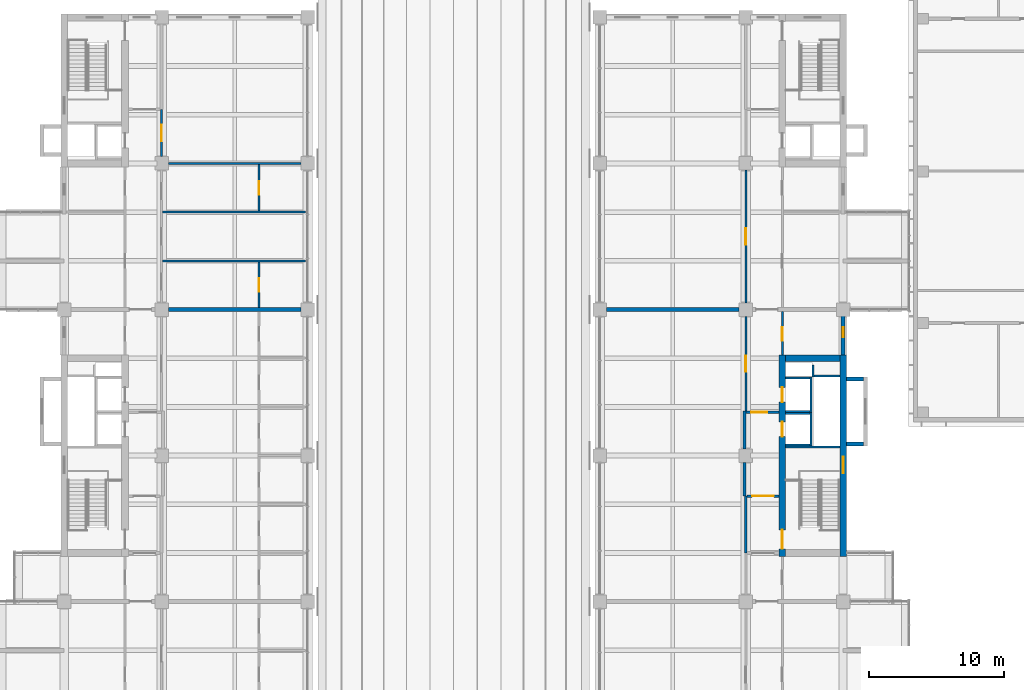
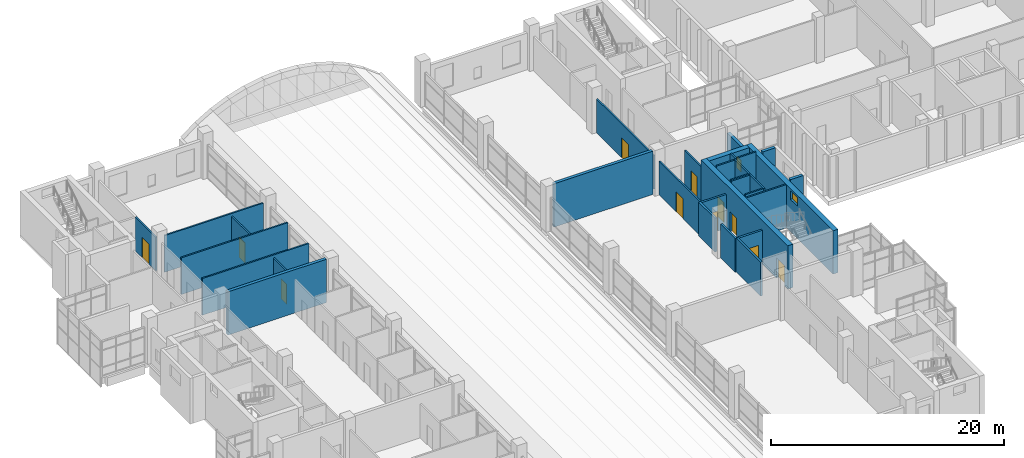
# One storey, part 34 of 45: 31 walls, 11 doors, 2 windows, 13 openings.
"""IFC4 building model written with IfcOpenShell, lengths in metres."""

from ifc_helpers import new_model, si_unit, direction, frame, frame_2d, origin, place, context, subcontext, project, spatial, rectangle, extrude, material, layer, layer_set, type_object, element, fill, save


model = new_model("IFC4")

# Units and contexts
model_context = context("Model", 3, precision=1e-05, world=origin(), true_north=direction((0.0, 1.0)))
body_context = subcontext(model_context, "Body", "Model", "MODEL_VIEW")
ifc_project = project(units=[si_unit("LENGTHUNIT", "METRE"), si_unit("AREAUNIT", "SQUARE_METRE"), si_unit("VOLUMEUNIT", "CUBIC_METRE"), si_unit("PLANEANGLEUNIT", "RADIAN"), si_unit("MASSUNIT", "GRAM", prefix="KILO")], contexts=[model_context])

# Site, building, storey
site_placement = place(None, origin())
site = spatial("IfcSite", under=ifc_project, at=site_placement, CompositionType="ELEMENT")
building_placement = place(site_placement, origin())
building = spatial("IfcBuilding", under=site, at=building_placement, Name="Basin Gate Institute", CompositionType="ELEMENT")
storey_placement = place(building_placement, frame((0.0, 0.0, 22.199951171875)))
storey = spatial("IfcBuildingStorey", under=building, at=storey_placement, Name="L04", CompositionType="ELEMENT", Elevation=22.199951171875)

# Wall, opening, door
ifc_material_1 = material(Name="Fire-rated masonry", Category="masonry")
ifc_layer_1 = layer(ifc_material_1, 0.199951171875)
ifc_layer_set_1 = layer_set([ifc_layer_1], Name="Enclosure wall PW2 200 EI 60")
wall_type_1 = type_object("IfcWallType", Name="Enclosure wall PW2 200 EI 60", PredefinedType="PARTITIONING", material=ifc_layer_set_1)
wall_1_placement = place(storey_placement, frame((114.050048828125, 64.5, 0.0), z_axis=(0.0, 0.0, 1.0), x_axis=(-1.0, 0.0, 0.0)))
wall_1 = element("IfcWall", 1, at=wall_1_placement, inside=storey, type_object=wall_type_1, material=ifc_layer_set_1, Name="Smoke lobby enclosure wall PW2 L04", PredefinedType="PARTITIONING", context=body_context, shape_type="SweptSolid", body=[
    extrude(rectangle(XDim=2.35009765625, YDim=0.199951171875, at=frame_2d((1.175048828125, 0.0))), origin(), (0.0, 0.0, 1.0), 3.550048828125),
])
opening_1_placement = place(wall_1_placement, frame((0.375, 0.0, 0.0)))
opening_1 = element("IfcOpeningElement", 2, at=opening_1_placement, cuts=wall_1, Name="Opening DR208", PredefinedType="OPENING", context=body_context, shape_type="SweptSolid", body=[
    extrude(rectangle(XDim=1.60009765625, YDim=2.10009765625, at=frame_2d((0.800048828125, 1.050048828125))), frame((0.0, 0.10986328125, 0.0), z_axis=(0.0, -1.0, 0.0), x_axis=(1.0, 0.0, 0.0)), (0.0, 0.0, 1.0), 0.219970703125),
])
ifc_material_2 = material(Name="Steel fire door", Category="steel")
door_type_1 = type_object("IfcDoorType", Name="FD60 Smoke lobby door pair D8", OperationType="DOUBLE_DOOR_SINGLE_SWING", PredefinedType="DOOR", material=ifc_material_2)
door_1_placement = place(opening_1_placement, origin())
door_1 = element("IfcDoor", 3, at=door_1_placement, inside=storey, type_object=door_type_1, material=ifc_material_2, Name="Smoke lobby door SS5 L04", OperationType="DOUBLE_DOOR_SINGLE_SWING", OverallHeight=2.10009765625, OverallWidth=1.60009765625, PredefinedType="DOOR", context=body_context, shape_type="SweptSolid", body=[
    extrude(rectangle(XDim=1.60009765625, YDim=2.10009765625, at=frame_2d((0.800048828125, 1.050048828125))), frame((0.0, 0.02490234375, 0.0), z_axis=(0.0, -1.0, 0.0), x_axis=(1.0, 0.0, 0.0)), (0.0, 0.0, 1.0), 0.050048828125),
])
fill(opening_1, door_1)

# Wall
wall_2_placement = place(storey_placement, frame((111.60009765625, 60.300048828125, 0.0), z_axis=(0.0, 0.0, 1.0), x_axis=(0.0, 1.0, 0.0)))
element("IfcWall", 4, at=wall_2_placement, inside=storey, type_object=wall_type_1, material=ifc_layer_set_1, Name="Smoke lobby enclosure wall PW2 L04", PredefinedType="PARTITIONING", context=body_context, shape_type="SweptSolid", body=[
    extrude(rectangle(XDim=4.199951171875, YDim=0.199951171875, at=frame_2d((2.10009765625, 0.0))), origin(), (0.0, 0.0, 1.0), 3.550048828125),
])

# Wall, opening, door
wall_3_placement = place(storey_placement, frame((114.050048828125, 70.699951171875, 0.0), z_axis=(0.0, 0.0, 1.0), x_axis=(-1.0, 0.0, 0.0)))
wall_3 = element("IfcWall", 5, at=wall_3_placement, inside=storey, type_object=wall_type_1, material=ifc_layer_set_1, Name="Emergency lift lobby wall PW2 L04", PredefinedType="PARTITIONING", context=body_context, shape_type="SweptSolid", body=[
    extrude(rectangle(XDim=2.449951171875, YDim=0.199951171875, at=frame_2d((1.22509765625, 0.0))), origin(), (0.0, 0.0, 1.0), 3.550048828125),
])
opening_2_placement = place(wall_3_placement, frame((0.85009765625, 0.0, 0.0)))
opening_2 = element("IfcOpeningElement", 6, at=opening_2_placement, cuts=wall_3, Name="Opening DR205", PredefinedType="OPENING", context=body_context, shape_type="SweptSolid", body=[
    extrude(rectangle(XDim=1.199951171875, YDim=2.10009765625, at=frame_2d((0.60009765625, 1.050048828125))), frame((0.0, 0.10986328125, 0.0), z_axis=(0.0, -1.0, 0.0), x_axis=(1.0, 0.0, 0.0)), (0.0, 0.0, 1.0), 0.219970703125),
])
ifc_material_3 = material(Name="Steel fire door", Category="steel")
door_type_2 = type_object("IfcDoorType", Name="FD60 Emergency lift lobby door D9", OperationType="NOTDEFINED", PredefinedType="DOOR", material=ifc_material_3)
door_2_placement = place(opening_2_placement, origin())
door_2 = element("IfcDoor", 7, at=door_2_placement, inside=storey, type_object=door_type_2, material=ifc_material_3, Name="Emergency lift lobby door LF2 L04", OperationType="SINGLE_SWING_RIGHT", OverallHeight=2.10009765625, OverallWidth=1.199951171875, PredefinedType="DOOR", context=body_context, shape_type="SweptSolid", body=[
    extrude(rectangle(XDim=1.199951171875, YDim=2.10009765625, at=frame_2d((0.60009765625, 1.050048828125))), frame((0.0, 0.02490234375, 0.0), z_axis=(0.0, -1.0, 0.0), x_axis=(1.0, 0.0, 0.0)), (0.0, 0.0, 1.0), 0.050048828125),
])
fill(opening_2, door_2)

# Walls
wall_4_placement = place(storey_placement, frame((111.5, 64.5, 0.0), z_axis=(0.0, 0.0, 1.0), x_axis=(0.0, 1.0, 0.0)))
element("IfcWall", 8, at=wall_4_placement, inside=storey, type_object=wall_type_1, material=ifc_layer_set_1, Name="Emergency lift lobby wall PW2 L04", PredefinedType="PARTITIONING", context=body_context, shape_type="SweptSolid", body=[
    extrude(rectangle(XDim=2.5, YDim=0.199951171875, at=frame_2d((1.25, 0.0))), origin(), (0.0, 0.0, 1.0), 3.550048828125),
])
wall_5_placement = place(storey_placement, frame((111.5, 68.0, 0.0), z_axis=(0.0, 0.0, 1.0), x_axis=(0.0, 1.0, 0.0)))
element("IfcWall", 9, at=wall_5_placement, inside=storey, type_object=wall_type_1, material=ifc_layer_set_1, Name="Emergency lift lobby wall PW2 L04", PredefinedType="PARTITIONING", context=body_context, shape_type="SweptSolid", body=[
    extrude(rectangle(XDim=2.800048828125, YDim=0.199951171875, at=frame_2d((1.39990234375, 0.0))), origin(), (0.0, 0.0, 1.0), 3.550048828125),
])

# Wall, opening, window
ifc_material_4 = material(Name="Aluminium-faced insulated panel wall", Category="aluminium")
ifc_layer_2 = layer(ifc_material_4, 0.300048828125)
ifc_layer_set_2 = layer_set([ifc_layer_2], Name="External wall EW1 EI 120")
wall_type_2 = type_object("IfcWallType", Name="External wall EW1 EI 120", PredefinedType="STANDARD", material=ifc_layer_set_2)
wall_6_placement = place(storey_placement, frame((118.800048828125, 74.949951171875, 0.0), z_axis=(0.0, 0.0, 1.0), x_axis=(0.0, 1.0, 0.0)))
wall_6 = element("IfcWall", 10, at=wall_6_placement, inside=storey, type_object=wall_type_2, material=ifc_layer_set_2, Name="External wall E facade L04 1", PredefinedType="STANDARD", context=body_context, shape_type="SweptSolid", body=[
    extrude(rectangle(XDim=3.5, YDim=0.300048828125, at=frame_2d((1.75, 0.0))), origin(), (0.0, 0.0, 1.0), 3.650146484375),
])
opening_3_placement = place(wall_6_placement, frame((1.300048828125, 0.0, 0.800048828125)))
opening_3 = element("IfcOpeningElement", 11, at=opening_3_placement, cuts=wall_6, Name="Opening WN3", PredefinedType="OPENING", context=body_context, shape_type="SweptSolid", body=[
    extrude(rectangle(XDim=0.75, YDim=1.199951171875, at=frame_2d((0.375, 0.60009765625))), frame((0.0, 0.16015625, 0.0), z_axis=(0.0, -1.0, 0.0), x_axis=(1.0, 0.0, 0.0)), (0.0, 0.0, 1.0), 0.320068359375),
])
ifc_material_5 = material(Name="Aluminium-framed double glazing", Category="aluminium")
window_type_1 = type_object("IfcWindowType", Name="Emergency entry panel WN3", PartitioningType="SINGLE_PANEL", PredefinedType="WINDOW", material=ifc_material_5)
window_1_placement = place(opening_3_placement, origin())
window_1 = element("IfcWindow", 12, at=window_1_placement, inside=storey, type_object=window_type_1, material=ifc_material_5, Name="Emergency entry panel E facade L04 bay 12", OverallHeight=1.199951171875, OverallWidth=0.75, PartitioningType="SINGLE_PANEL", PredefinedType="WINDOW", context=body_context, shape_type="SweptSolid", body=[
    extrude(rectangle(XDim=0.75, YDim=1.199951171875, at=frame_2d((0.375, 0.60009765625))), frame((0.0, 0.030029296875, 0.0), z_axis=(0.0, -1.0, 0.0), x_axis=(1.0, 0.0, 0.0)), (0.0, 0.0, 1.0), 0.06005859375),
])
fill(opening_3, window_1)

# Wall, opening, door
ifc_material_6 = material(Name="Gypsum board on steel stud", Category="steel")
ifc_layer_3 = layer(ifc_material_6, 0.14990234375)
ifc_layer_set_3 = layer_set([ifc_layer_3], Name="Gypsum board on steel stud")
wall_type_3 = type_object("IfcWallType", Name="Partition PW1 150 EI 60", PredefinedType="PARTITIONING", material=ifc_layer_set_3)
wall_7_placement = place(storey_placement, frame((68.39990234375, 89.60009765625, 0.0), z_axis=(0.0, 0.0, 1.0), x_axis=(0.0, 1.0, 0.0)))
wall_7 = element("IfcWall", 13, at=wall_7_placement, inside=storey, type_object=wall_type_3, material=ifc_layer_set_3, Name="Laboratory corridor wall PW1 L04", PredefinedType="PARTITIONING", context=body_context, shape_type="SweptSolid", body=[
    extrude(rectangle(XDim=3.5, YDim=0.14990234375, at=frame_2d((1.75, 0.0))), origin(), (0.0, 0.0, 1.0), 3.550048828125),
])
opening_4_placement = place(wall_7_placement, frame((1.14990234375, 0.0, 0.0)))
opening_4 = element("IfcOpeningElement", 14, at=opening_4_placement, cuts=wall_7, Name="Opening DR216", PredefinedType="OPENING", context=body_context, shape_type="SweptSolid", body=[
    extrude(rectangle(XDim=1.199951171875, YDim=2.10009765625, at=frame_2d((0.60009765625, 1.050048828125))), frame((0.0, 0.0849609375, 0.0), z_axis=(0.0, -1.0, 0.0), x_axis=(1.0, 0.0, 0.0)), (0.0, 0.0, 1.0), 0.169921875),
])
ifc_material_7 = material(Name="Timber fire door", Category="wood")
door_type_3 = type_object("IfcDoorType", Name="FD30 Laboratory door D2", OperationType="DOUBLE_DOOR_SINGLE_SWING", PredefinedType="DOOR", material=ifc_material_7)
door_3_placement = place(opening_4_placement, frame((1.199951171875, 0.0, 0.0), z_axis=(0.0, 0.0, 1.0), x_axis=(-1.0, 0.0, 0.0)))
door_3 = element("IfcDoor", 15, at=door_3_placement, inside=storey, type_object=door_type_3, material=ifc_material_7, Name="Door to Instrument Room 0434 L04", OperationType="DOUBLE_DOOR_SINGLE_SWING", OverallHeight=2.10009765625, OverallWidth=1.199951171875, PredefinedType="DOOR", context=body_context, shape_type="SweptSolid", body=[
    extrude(rectangle(XDim=1.199951171875, YDim=2.10009765625, at=frame_2d((0.60009765625, 1.050048828125))), frame((0.0, 0.02490234375, 0.0), z_axis=(0.0, -1.0, 0.0), x_axis=(1.0, 0.0, 0.0)), (0.0, 0.0, 1.0), 0.050048828125),
])
fill(opening_4, door_3)

wall_8_placement = place(storey_placement, frame((75.60009765625, 78.449951171875, 0.0), z_axis=(0.0, 0.0, 1.0), x_axis=(0.0, 1.0, 0.0)))
wall_8 = element("IfcWall", 16, at=wall_8_placement, inside=storey, type_object=wall_type_3, material=ifc_layer_set_3, Name="Laboratory partition PW1 L04", PredefinedType="PARTITIONING", context=body_context, shape_type="SweptSolid", body=[
    extrude(rectangle(XDim=3.375, YDim=0.14990234375, at=frame_2d((1.6875, 0.0))), origin(), (0.0, 0.0, 1.0), 3.550048828125),
])
opening_5_placement = place(wall_8_placement, frame((1.14990234375, 0.0, 0.0)))
opening_5 = element("IfcOpeningElement", 17, at=opening_5_placement, cuts=wall_8, Name="Opening DR236", PredefinedType="OPENING", context=body_context, shape_type="SweptSolid", body=[
    extrude(rectangle(XDim=1.0, YDim=2.10009765625, at=frame_2d((0.5, 1.050048828125))), frame((0.0, 0.0849609375, 0.0), z_axis=(0.0, -1.0, 0.0), x_axis=(1.0, 0.0, 0.0)), (0.0, 0.0, 1.0), 0.169921875),
])
ifc_material_8 = material(Name="Timber fire door", Category="wood")
door_type_4 = type_object("IfcDoorType", Name="FD30 Office door D1", OperationType="NOTDEFINED", PredefinedType="DOOR", material=ifc_material_8)
door_4_placement = place(opening_5_placement, origin())
door_4 = element("IfcDoor", 18, at=door_4_placement, inside=storey, type_object=door_type_4, material=ifc_material_8, Name="Door to Write-up Cell 0430 L04", OperationType="SINGLE_SWING_LEFT", OverallHeight=2.10009765625, OverallWidth=1.0, PredefinedType="DOOR", context=body_context, shape_type="SweptSolid", body=[
    extrude(rectangle(XDim=1.0, YDim=2.10009765625, at=frame_2d((0.5, 1.050048828125))), frame((0.0, 0.02490234375, 0.0), z_axis=(0.0, -1.0, 0.0), x_axis=(1.0, 0.0, 0.0)), (0.0, 0.0, 1.0), 0.050048828125),
])
fill(opening_5, door_4)

wall_9_placement = place(storey_placement, frame((75.60009765625, 85.574951171875, 0.0), z_axis=(0.0, 0.0, 1.0), x_axis=(0.0, 1.0, 0.0)))
wall_9 = element("IfcWall", 19, at=wall_9_placement, inside=storey, type_object=wall_type_3, material=ifc_layer_set_3, Name="Laboratory partition PW1 L04", PredefinedType="PARTITIONING", context=body_context, shape_type="SweptSolid", body=[
    extrude(rectangle(XDim=3.449951171875, YDim=0.14990234375, at=frame_2d((1.72509765625, 0.0))), origin(), (0.0, 0.0, 1.0), 3.550048828125),
])
opening_6_placement = place(wall_9_placement, frame((1.22509765625, 0.0, 0.0)))
opening_6 = element("IfcOpeningElement", 20, at=opening_6_placement, cuts=wall_9, Name="Opening DR237", PredefinedType="OPENING", context=body_context, shape_type="SweptSolid", body=[
    extrude(rectangle(XDim=1.0, YDim=2.10009765625, at=frame_2d((0.5, 1.050048828125))), frame((0.0, 0.0849609375, 0.0), z_axis=(0.0, -1.0, 0.0), x_axis=(1.0, 0.0, 0.0)), (0.0, 0.0, 1.0), 0.169921875),
])
door_5_placement = place(opening_6_placement, origin())
door_5 = element("IfcDoor", 21, at=door_5_placement, inside=storey, type_object=door_type_4, material=ifc_material_8, Name="Door to Write-up Cell 0433 L04", OperationType="SINGLE_SWING_LEFT", OverallHeight=2.10009765625, OverallWidth=1.0, PredefinedType="DOOR", context=body_context, shape_type="SweptSolid", body=[
    extrude(rectangle(XDim=1.0, YDim=2.10009765625, at=frame_2d((0.5, 1.050048828125))), frame((0.0, 0.02490234375, 0.0), z_axis=(0.0, -1.0, 0.0), x_axis=(1.0, 0.0, 0.0)), (0.0, 0.0, 1.0), 0.050048828125),
])
fill(opening_6, door_5)

# Walls
for number, where, z_axis, x_axis, name in (
    (22, (68.47509765625, 81.89990234375, 0.0), (0.0, 0.0, 1.0), (1.0, 0.0, 0.0), "Laboratory partition PW1 L04"),
    (23, (68.47509765625, 85.5, 0.0), (0.0, 0.0, 1.0), (1.0, 0.0, 0.0), "Laboratory partition PW1 L04"),
):
    element("IfcWall", number, at=place(storey_placement, frame(where, z_axis=z_axis, x_axis=x_axis)), inside=storey, type_object=wall_type_3, material=ifc_layer_set_3, Name=name, PredefinedType="PARTITIONING", context=body_context, shape_type="SweptSolid", body=[
        extrude(rectangle(XDim=10.574951171875, YDim=0.14990234375, at=frame_2d((5.28759765625, 0.0))), origin(), (0.0, 0.0, 1.0), 3.85009765625),
    ])
wall_10_placement = place(storey_placement, frame((68.89990234375, 89.10009765625, 0.0), z_axis=(0.0, 0.0, 1.0), x_axis=(1.0, 0.0, 0.0)))
element("IfcWall", 24, at=wall_10_placement, inside=storey, type_object=wall_type_3, material=ifc_layer_set_3, Name="Laboratory partition PW1 L04", PredefinedType="PARTITIONING", context=body_context, shape_type="SweptSolid", body=[
    extrude(rectangle(XDim=9.800048828125, YDim=0.14990234375, at=frame_2d((4.89990234375, 0.0))), origin(), (0.0, 0.0, 1.0), 3.85009765625),
])

# Wall, opening, door
wall_11_placement = place(storey_placement, frame((114.300048828125, 74.949951171875, 0.0), z_axis=(0.0, 0.0, 1.0), x_axis=(0.0, 1.0, 0.0)))
wall_11 = element("IfcWall", 25, at=wall_11_placement, inside=storey, type_object=wall_type_3, material=ifc_layer_set_3, Name="Corridor wall PW1 L04", PredefinedType="PARTITIONING", context=body_context, shape_type="SweptSolid", body=[
    extrude(rectangle(XDim=3.199951171875, YDim=0.14990234375, at=frame_2d((1.60009765625, 0.0))), origin(), (0.0, 0.0, 1.0), 3.550048828125),
])
opening_7_placement = place(wall_11_placement, frame((1.050048828125, 0.0, 0.0)))
opening_7 = element("IfcOpeningElement", 26, at=opening_7_placement, cuts=wall_11, Name="Opening DR202", PredefinedType="OPENING", context=body_context, shape_type="SweptSolid", body=[
    extrude(rectangle(XDim=1.0, YDim=2.10009765625, at=frame_2d((0.5, 1.050048828125))), frame((0.0, 0.0849609375, 0.0), z_axis=(0.0, -1.0, 0.0), x_axis=(1.0, 0.0, 0.0)), (0.0, 0.0, 1.0), 0.169921875),
])
ifc_material_9 = material(Name="Timber fire door", Category="wood")
door_type_5 = type_object("IfcDoorType", Name="FD30 Toilet door D3", OperationType="NOTDEFINED", PredefinedType="DOOR", material=ifc_material_9)
door_6_placement = place(opening_7_placement, frame((1.0, 0.0, 0.0), z_axis=(0.0, 0.0, 1.0), x_axis=(-1.0, 0.0, 0.0)))
door_6 = element("IfcDoor", 27, at=door_6_placement, inside=storey, type_object=door_type_5, material=ifc_material_9, Name="Door to Male WC L04", OperationType="SINGLE_SWING_RIGHT", OverallHeight=2.10009765625, OverallWidth=1.0, PredefinedType="DOOR", context=body_context, shape_type="SweptSolid", body=[
    extrude(rectangle(XDim=1.0, YDim=2.10009765625, at=frame_2d((0.5, 1.050048828125))), frame((0.0, 0.02490234375, 0.0), z_axis=(0.0, -1.0, 0.0), x_axis=(1.0, 0.0, 0.0)), (0.0, 0.0, 1.0), 0.050048828125),
])
fill(opening_7, door_6)

wall_12_placement = place(storey_placement, frame((111.60009765625, 70.800048828125, 0.0), z_axis=(0.0, 0.0, 1.0), x_axis=(0.0, 1.0, 0.0)))
wall_12 = element("IfcWall", 28, at=wall_12_placement, inside=storey, type_object=wall_type_3, material=ifc_layer_set_3, Name="Laboratory corridor wall PW1 L04", PredefinedType="PARTITIONING", context=body_context, shape_type="SweptSolid", body=[
    extrude(rectangle(XDim=7.0, YDim=0.14990234375, at=frame_2d((3.5, 0.0))), origin(), (0.0, 0.0, 1.0), 3.550048828125),
])
opening_8_placement = place(wall_12_placement, frame((2.89990234375, 0.0, 0.0)))
opening_8 = element("IfcOpeningElement", 29, at=opening_8_placement, cuts=wall_12, Name="Opening DR198", PredefinedType="OPENING", context=body_context, shape_type="SweptSolid", body=[
    extrude(rectangle(XDim=1.199951171875, YDim=2.10009765625, at=frame_2d((0.60009765625, 1.050048828125))), frame((0.0, 0.0849609375, 0.0), z_axis=(0.0, -1.0, 0.0), x_axis=(1.0, 0.0, 0.0)), (0.0, 0.0, 1.0), 0.169921875),
])
door_7_placement = place(opening_8_placement, origin())
door_7 = element("IfcDoor", 30, at=door_7_placement, inside=storey, type_object=door_type_3, material=ifc_material_7, Name="Door to Dry Laboratory 0465 L04", OperationType="DOUBLE_DOOR_SINGLE_SWING", OverallHeight=2.10009765625, OverallWidth=1.199951171875, PredefinedType="DOOR", context=body_context, shape_type="SweptSolid", body=[
    extrude(rectangle(XDim=1.199951171875, YDim=2.10009765625, at=frame_2d((0.60009765625, 1.050048828125))), frame((0.0, 0.02490234375, 0.0), z_axis=(0.0, -1.0, 0.0), x_axis=(1.0, 0.0, 0.0)), (0.0, 0.0, 1.0), 0.050048828125),
])
fill(opening_8, door_7)

wall_13_placement = place(storey_placement, frame((111.60009765625, 78.800048828125, 0.0), z_axis=(0.0, 0.0, 1.0), x_axis=(0.0, 1.0, 0.0)))
wall_13 = element("IfcWall", 31, at=wall_13_placement, inside=storey, type_object=wall_type_3, material=ifc_layer_set_3, Name="Laboratory corridor wall PW1 L04", PredefinedType="PARTITIONING", context=body_context, shape_type="SweptSolid", body=[
    extrude(rectangle(XDim=9.800048828125, YDim=0.14990234375, at=frame_2d((4.89990234375, 0.0))), origin(), (0.0, 0.0, 1.0), 3.550048828125),
])
opening_9_placement = place(wall_13_placement, frame((4.300048828125, 0.0, 0.0)))
opening_9 = element("IfcOpeningElement", 32, at=opening_9_placement, cuts=wall_13, Name="Opening DR200", PredefinedType="OPENING", context=body_context, shape_type="SweptSolid", body=[
    extrude(rectangle(XDim=1.199951171875, YDim=2.10009765625, at=frame_2d((0.60009765625, 1.050048828125))), frame((0.0, 0.0849609375, 0.0), z_axis=(0.0, -1.0, 0.0), x_axis=(1.0, 0.0, 0.0)), (0.0, 0.0, 1.0), 0.169921875),
])
door_8_placement = place(opening_9_placement, origin())
door_8 = element("IfcDoor", 33, at=door_8_placement, inside=storey, type_object=door_type_3, material=ifc_material_7, Name="Door to Instrument Room 0466 L04", OperationType="DOUBLE_DOOR_SINGLE_SWING", OverallHeight=2.10009765625, OverallWidth=1.199951171875, PredefinedType="DOOR", context=body_context, shape_type="SweptSolid", body=[
    extrude(rectangle(XDim=1.199951171875, YDim=2.10009765625, at=frame_2d((0.60009765625, 1.050048828125))), frame((0.0, 0.02490234375, 0.0), z_axis=(0.0, -1.0, 0.0), x_axis=(1.0, 0.0, 0.0)), (0.0, 0.0, 1.0), 0.050048828125),
])
fill(opening_9, door_8)

# Walls
ifc_material_10 = material(Name="Concrete 40 MPa", Category="concrete")
ifc_layer_4 = layer(ifc_material_10, 0.14990234375)
ifc_layer_set_4 = layer_set([ifc_layer_4], Name="Concrete 40 MPa")
wall_type_4 = type_object("IfcWallType", Name="Wall LS1 lift shaft enclosure R120", PredefinedType="SOLIDWALL", material=ifc_layer_set_4)
wall_14_placement = place(storey_placement, frame((116.425048828125, 68.199951171875, 0.0), z_axis=(0.0, 0.0, 1.0), x_axis=(0.0, 1.0, 0.0)))
element("IfcWall", 34, at=wall_14_placement, inside=storey, type_object=wall_type_4, material=ifc_layer_set_4, Name="Lift shaft enclosure LF2 L04 UL", PredefinedType="SOLIDWALL", context=body_context, shape_type="SweptSolid", body=[
    extrude(rectangle(XDim=2.5, YDim=0.14990234375, at=frame_2d((1.25, 0.0))), origin(), (0.0, 0.0, 1.0), 4.800048828125),
])
for number, where, z_axis, x_axis, name in (
    (35, (116.35009765625, 68.27490234375, 0.0), (0.0, 0.0, 1.0), (-1.0, 0.0, 0.0), "Lift shaft enclosure LF2 L04 RL"),
    (36, (116.35009765625, 70.625, 0.0), (0.0, 0.0, 1.0), (-1.0, 0.0, 0.0), "Lift shaft enclosure LF2 L04 RH"),
):
    element("IfcWall", number, at=place(storey_placement, frame(where, z_axis=z_axis, x_axis=x_axis)), inside=storey, type_object=wall_type_4, material=ifc_layer_set_4, Name=name, PredefinedType="SOLIDWALL", context=body_context, shape_type="SweptSolid", body=[
        extrude(rectangle(XDim=1.800048828125, YDim=0.14990234375, at=frame_2d((0.89990234375, 0.0))), origin(), (0.0, 0.0, 1.0), 4.800048828125),
    ])
wall_15_placement = place(storey_placement, frame((116.425048828125, 70.699951171875, 0.0), z_axis=(0.0, 0.0, 1.0), x_axis=(0.0, 1.0, 0.0)))
element("IfcWall", 37, at=wall_15_placement, inside=storey, type_object=wall_type_4, material=ifc_layer_set_4, Name="Lift shaft enclosure LP5 L04 UL", PredefinedType="SOLIDWALL", context=body_context, shape_type="SweptSolid", body=[
    extrude(rectangle(XDim=2.60009765625, YDim=0.14990234375, at=frame_2d((1.300048828125, 0.0))), origin(), (0.0, 0.0, 1.0), 4.800048828125),
])
for number, where, z_axis, x_axis, name in (
    (38, (116.35009765625, 70.77490234375, 0.0), (0.0, 0.0, 1.0), (-1.0, 0.0, 0.0), "Lift shaft enclosure LP5 L04 RL"),
    (39, (116.35009765625, 73.22509765625, 0.0), (0.0, 0.0, 1.0), (-1.0, 0.0, 0.0), "Lift shaft enclosure LP5 L04 RH"),
):
    element("IfcWall", number, at=place(storey_placement, frame(where, z_axis=z_axis, x_axis=x_axis)), inside=storey, type_object=wall_type_4, material=ifc_layer_set_4, Name=name, PredefinedType="SOLIDWALL", context=body_context, shape_type="SweptSolid", body=[
        extrude(rectangle(XDim=1.800048828125, YDim=0.14990234375, at=frame_2d((0.89990234375, 0.0))), origin(), (0.0, 0.0, 1.0), 4.800048828125),
    ])
ifc_material_11 = material(Name="Concrete 40 MPa", Category="concrete")
ifc_layer_5 = layer(ifc_material_11, 0.14990234375)
ifc_layer_set_5 = layer_set([ifc_layer_5], Name="Concrete 40 MPa")
wall_type_5 = type_object("IfcWallType", Name="Wall RS1 riser shaft enclosure R120", PredefinedType="SOLIDWALL", material=ifc_layer_set_5)
wall_16_placement = place(storey_placement, frame((118.550048828125, 73.375, 0.0), z_axis=(0.0, 0.0, 1.0), x_axis=(-1.0, 0.0, 0.0)))
element("IfcWall", 40, at=wall_16_placement, inside=storey, type_object=wall_type_5, material=ifc_layer_set_5, Name="Riser shaft enclosure EM L04 N", PredefinedType="SOLIDWALL", context=body_context, shape_type="SweptSolid", body=[
    extrude(rectangle(XDim=1.900146484375, YDim=0.14990234375, at=frame_2d((0.9501953125, 0.0))), origin(), (0.0, 0.0, 1.0), 4.800048828125),
])
wall_17_placement = place(storey_placement, frame((116.574951171875, 73.300048828125, 0.0), z_axis=(0.0, 0.0, 1.0), x_axis=(0.0, 1.0, 0.0)))
element("IfcWall", 41, at=wall_17_placement, inside=storey, type_object=wall_type_5, material=ifc_layer_set_5, Name="Riser shaft enclosure EM L04 W", PredefinedType="SOLIDWALL", context=body_context, shape_type="SweptSolid", body=[
    extrude(rectangle(XDim=0.89990234375, YDim=0.14990234375, at=frame_2d((0.449951171875, 0.0))), origin(), (0.0, 0.0, 1.0), 4.800048828125),
])
ifc_material_12 = material(Name="Concrete 40 MPa", Category="concrete")
ifc_layer_6 = layer(ifc_material_12, 0.14990234375)
ifc_layer_set_6 = layer_set([ifc_layer_6], Name="Concrete 40 MPa")
wall_type_6 = type_object("IfcWallType", Name="Wall SE1 stair enclosure R120", PredefinedType="SOLIDWALL", material=ifc_layer_set_6)
wall_18_placement = place(storey_placement, frame((118.550048828125, 68.125, 0.0), z_axis=(0.0, 0.0, 1.0), x_axis=(-1.0, 0.0, 0.0)))
element("IfcWall", 42, at=wall_18_placement, inside=storey, type_object=wall_type_6, material=ifc_layer_set_6, Name="Stair enclosure wall ST-EM L04", PredefinedType="SOLIDWALL", context=body_context, shape_type="SweptSolid", body=[
    extrude(rectangle(XDim=4.0, YDim=0.14990234375, at=frame_2d((2.0, 0.0))), origin(), (0.0, 0.0, 1.0), 4.550048828125),
])
ifc_material_13 = material(Name="Concrete 50 MPa", Category="concrete")
ifc_layer_7 = layer(ifc_material_13, 0.300048828125)
ifc_layer_set_7 = layer_set([ifc_layer_7], Name="Concrete 50 MPa")
wall_type_7 = type_object("IfcWallType", Name="Wall SK1 R120", PredefinedType="SHEAR", material=ifc_layer_set_7)
for number, where, z_axis, x_axis, name in (
    (43, (119.050048828125, 68.35009765625, 0.0), (0.0, 0.0, 1.0), (1.0, 0.0, 0.0), "Spine riser stack wall SK1 EM A L04"),
    (44, (119.050048828125, 73.14990234375, 0.0), (0.0, 0.0, 1.0), (1.0, 0.0, 0.0), "Spine riser stack wall SK1 EM B L04"),
):
    element("IfcWall", number, at=place(storey_placement, frame(where, z_axis=z_axis, x_axis=x_axis)), inside=storey, type_object=wall_type_7, material=ifc_layer_set_7, Name=name, PredefinedType="SHEAR", context=body_context, shape_type="SweptSolid", body=[
        extrude(rectangle(XDim=1.25, YDim=0.300048828125, at=frame_2d((0.625, 0.0))), origin(), (0.0, 0.0, 1.0), 4.800048828125),
    ])

# Wall, opening, window
ifc_material_14 = material(Name="Concrete 60 MPa", Category="concrete")
ifc_layer_8 = layer(ifc_material_14, 0.5)
ifc_layer_set_8 = layer_set([ifc_layer_8], Name="Concrete 60 MPa")
wall_type_8 = type_object("IfcWallType", Name="Wall SW1 R120", PredefinedType="SHEAR", material=ifc_layer_set_8)
wall_19_placement = place(storey_placement, frame((118.800048828125, 60.050048828125, 0.0), z_axis=(0.0, 0.0, 1.0), x_axis=(0.0, 1.0, 0.0)))
wall_19 = element("IfcWall", 45, at=wall_19_placement, inside=storey, type_object=wall_type_8, material=ifc_layer_set_8, Name="WALL/L04/EM/L", PredefinedType="SHEAR", context=body_context, shape_type="SweptSolid", body=[
    extrude(rectangle(XDim=14.89990234375, YDim=0.5, at=frame_2d((7.449951171875, 0.0))), origin(), (0.0, 0.0, 1.0), 4.550048828125),
])
opening_10_placement = place(wall_19_placement, frame((6.159912109375, 0.0, 3.39990234375)))
opening_10 = element("IfcOpeningElement", 46, at=opening_10_placement, cuts=wall_19, Name="Opening WT2", PredefinedType="OPENING", context=body_context, shape_type="SweptSolid", body=[
    extrude(rectangle(XDim=1.199951171875, YDim=0.89990234375, at=frame_2d((0.60009765625, 0.449951171875))), frame((0.0, 0.260009765625, 0.0), z_axis=(0.0, -1.0, 0.0), x_axis=(1.0, 0.0, 0.0)), (0.0, 0.0, 1.0), 0.52001953125),
])
ifc_material_15 = material(Name="Fire-resistant glazing in steel-free frame", Category="steel")
window_type_2 = type_object("IfcWindowType", Name="Rated stair window EI 120 WT2", PartitioningType="SINGLE_PANEL", PredefinedType="WINDOW", material=ifc_material_15)
window_2_placement = place(opening_10_placement, origin())
window_2 = element("IfcWindow", 47, at=window_2_placement, inside=storey, type_object=window_type_2, material=ifc_material_15, Name="Rated stair window EI 120 EM landing L04", OverallHeight=0.89990234375, OverallWidth=1.199951171875, PartitioningType="SINGLE_PANEL", PredefinedType="WINDOW", context=body_context, shape_type="SweptSolid", body=[
    extrude(rectangle(XDim=1.199951171875, YDim=0.89990234375, at=frame_2d((0.60009765625, 0.449951171875))), frame((0.0, 0.030029296875, 0.0), z_axis=(0.0, -1.0, 0.0), x_axis=(1.0, 0.0, 0.0)), (0.0, 0.0, 1.0), 0.06005859375),
])
fill(opening_10, window_2)

# Wall, openings, doors
wall_20_placement = place(storey_placement, frame((114.300048828125, 60.050048828125, 0.0), z_axis=(0.0, 0.0, 1.0), x_axis=(0.0, 1.0, 0.0)))
wall_20 = element("IfcWall", 48, at=wall_20_placement, inside=storey, type_object=wall_type_8, material=ifc_layer_set_8, Name="WALL/L04/EM/C", PredefinedType="SHEAR", context=body_context, shape_type="SweptSolid", body=[
    extrude(rectangle(XDim=14.89990234375, YDim=0.5, at=frame_2d((7.449951171875, 0.0))), origin(), (0.0, 0.0, 1.0), 4.550048828125),
])
opening_11_placement = place(wall_20_placement, frame((0.550048828125, 0.0, 0.0)))
opening_11 = element("IfcOpeningElement", 49, at=opening_11_placement, cuts=wall_20, Name="Opening DS029", PredefinedType="OPENING", context=body_context, shape_type="SweptSolid", body=[
    extrude(rectangle(XDim=1.39990234375, YDim=2.10009765625, at=frame_2d((0.699951171875, 1.050048828125))), frame((0.0, 0.260009765625, 0.0), z_axis=(0.0, -1.0, 0.0), x_axis=(1.0, 0.0, 0.0)), (0.0, 0.0, 1.0), 0.52001953125),
])
opening_12_placement = place(wall_20_placement, frame((8.85009765625, 0.0, 0.0)))
opening_12 = element("IfcOpeningElement", 50, at=opening_12_placement, cuts=wall_20, Name="Opening LD087", PredefinedType="OPENING", context=body_context, shape_type="SweptSolid", body=[
    extrude(rectangle(XDim=1.10009765625, YDim=2.10009765625, at=frame_2d((0.550048828125, 1.050048828125))), frame((0.0, 0.260009765625, 0.0), z_axis=(0.0, -1.0, 0.0), x_axis=(1.0, 0.0, 0.0)), (0.0, 0.0, 1.0), 0.52001953125),
])
opening_13_placement = place(wall_20_placement, frame((11.39990234375, 0.0, 0.0)))
opening_13 = element("IfcOpeningElement", 51, at=opening_13_placement, cuts=wall_20, Name="Opening LD099", PredefinedType="OPENING", context=body_context, shape_type="SweptSolid", body=[
    extrude(rectangle(XDim=1.10009765625, YDim=2.10009765625, at=frame_2d((0.550048828125, 1.050048828125))), frame((0.0, 0.260009765625, 0.0), z_axis=(0.0, -1.0, 0.0), x_axis=(1.0, 0.0, 0.0)), (0.0, 0.0, 1.0), 0.52001953125),
])
ifc_material_16 = material(Name="Steel fire door", Category="steel")
door_type_6 = type_object("IfcDoorType", Name="FD30 Stair enclosure door DS", OperationType="DOUBLE_DOOR_SINGLE_SWING", PredefinedType="DOOR", material=ifc_material_16)
door_9_placement = place(opening_11_placement, frame((1.39990234375, 0.0, 0.0), z_axis=(0.0, 0.0, 1.0), x_axis=(-1.0, 0.0, 0.0)))
door_9 = element("IfcDoor", 52, at=door_9_placement, inside=storey, type_object=door_type_6, material=ifc_material_16, Name="Stair enclosure door ST-EM L04", OperationType="DOUBLE_DOOR_SINGLE_SWING", OverallHeight=2.10009765625, OverallWidth=1.39990234375, PredefinedType="DOOR", context=body_context, shape_type="SweptSolid", body=[
    extrude(rectangle(XDim=1.39990234375, YDim=2.10009765625, at=frame_2d((0.699951171875, 1.050048828125))), frame((0.0, 0.02490234375, 0.0), z_axis=(0.0, -1.0, 0.0), x_axis=(1.0, 0.0, 0.0)), (0.0, 0.0, 1.0), 0.050048828125),
])
fill(opening_11, door_9)
ifc_material_17 = material(Name="Stainless steel", Category="steel")
door_type_7 = type_object("IfcDoorType", Name="FD60 Lift landing door LD", OperationType="SLIDING_TO_LEFT", PredefinedType="DOOR", material=ifc_material_17)
door_10_placement = place(opening_12_placement, origin())
door_10 = element("IfcDoor", 53, at=door_10_placement, inside=storey, type_object=door_type_7, material=ifc_material_17, Name="Lift landing door LF2 L04", OperationType="SLIDING_TO_LEFT", OverallHeight=2.10009765625, OverallWidth=1.10009765625, PredefinedType="DOOR", context=body_context, shape_type="SweptSolid", body=[
    extrude(rectangle(XDim=1.10009765625, YDim=2.10009765625, at=frame_2d((0.550048828125, 1.050048828125))), frame((0.0, 0.02490234375, 0.0), z_axis=(0.0, -1.0, 0.0), x_axis=(1.0, 0.0, 0.0)), (0.0, 0.0, 1.0), 0.050048828125),
])
fill(opening_12, door_10)
door_11_placement = place(opening_13_placement, origin())
door_11 = element("IfcDoor", 54, at=door_11_placement, inside=storey, type_object=door_type_7, material=ifc_material_17, Name="Lift landing door LP5 L04", OperationType="SLIDING_TO_LEFT", OverallHeight=2.10009765625, OverallWidth=1.10009765625, PredefinedType="DOOR", context=body_context, shape_type="SweptSolid", body=[
    extrude(rectangle(XDim=1.10009765625, YDim=2.10009765625, at=frame_2d((0.550048828125, 1.050048828125))), frame((0.0, 0.02490234375, 0.0), z_axis=(0.0, -1.0, 0.0), x_axis=(1.0, 0.0, 0.0)), (0.0, 0.0, 1.0), 0.050048828125),
])
fill(opening_13, door_11)

# Walls
wall_21_placement = place(storey_placement, frame((118.550048828125, 74.699951171875, 0.0), z_axis=(0.0, 0.0, 1.0), x_axis=(-1.0, 0.0, 0.0)))
element("IfcWall", 55, at=wall_21_placement, inside=storey, type_object=wall_type_8, material=ifc_layer_set_8, Name="WALL/L04/EM/N", PredefinedType="SHEAR", context=body_context, shape_type="SweptSolid", body=[
    extrude(rectangle(XDim=4.0, YDim=0.5, at=frame_2d((2.0, 0.0))), origin(), (0.0, 0.0, 1.0), 4.550048828125),
])
ifc_material_18 = material(Name="Concrete 50 MPa", Category="concrete")
ifc_layer_9 = layer(ifc_material_18, 0.300048828125)
ifc_layer_set_9 = layer_set([ifc_layer_9], Name="Concrete 50 MPa")
wall_type_9 = type_object("IfcWallType", Name="Wall XW1 R120", PredefinedType="SHEAR", material=ifc_layer_set_9)
for number, where, z_axis, x_axis, name in (
    (56, (68.89990234375, 78.300048828125, 0.0), (0.0, 0.0, 1.0), (1.0, 0.0, 0.0), "WALL/L04/WXE/2"),
    (57, (111.10009765625, 78.300048828125, 0.0), (0.0, 0.0, 1.0), (-1.0, 0.0, 0.0), "WALL/L04/EXE/2"),
):
    element("IfcWall", number, at=place(storey_placement, frame(where, z_axis=z_axis, x_axis=x_axis)), inside=storey, type_object=wall_type_9, material=ifc_layer_set_9, Name=name, PredefinedType="SHEAR", context=body_context, shape_type="SweptSolid", body=[
        extrude(rectangle(XDim=9.800048828125, YDim=0.300048828125, at=frame_2d((4.89990234375, 0.0))), origin(), (0.0, 0.0, 1.0), 4.550048828125),
    ])

save(model, "model.ifc")
